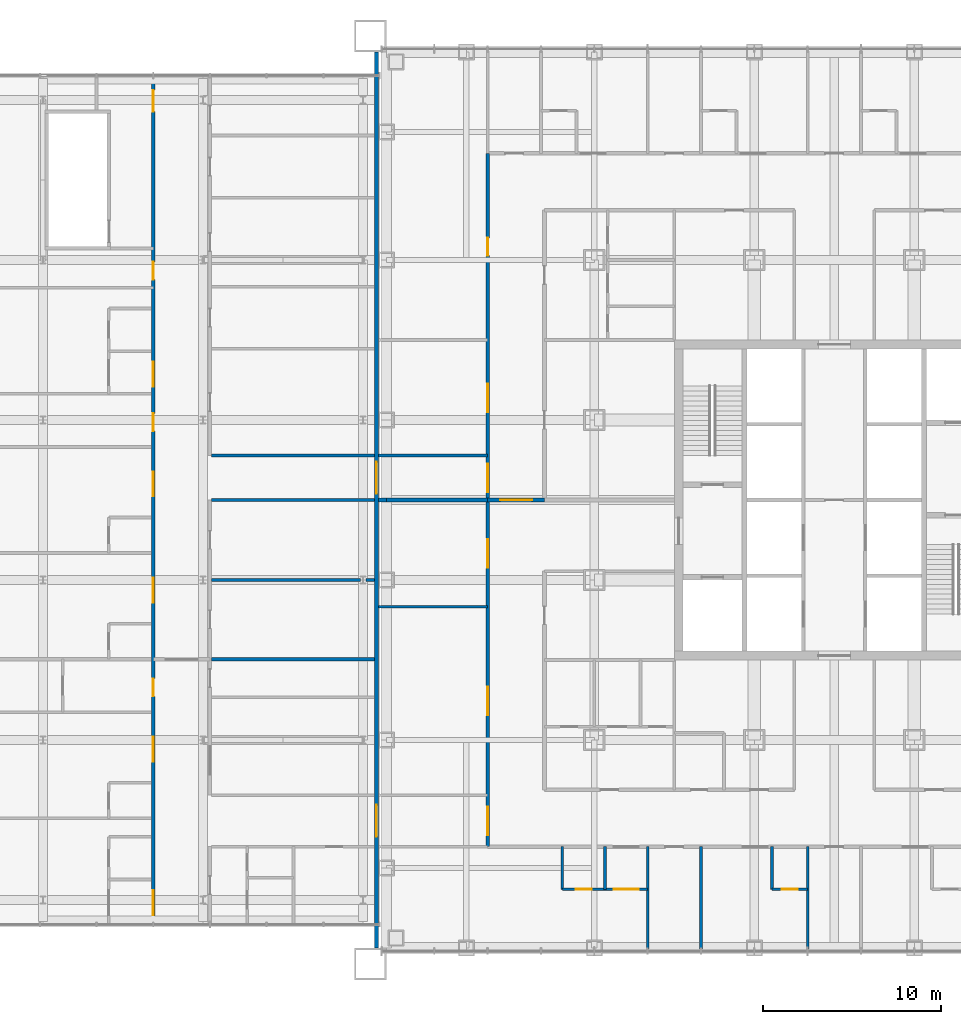
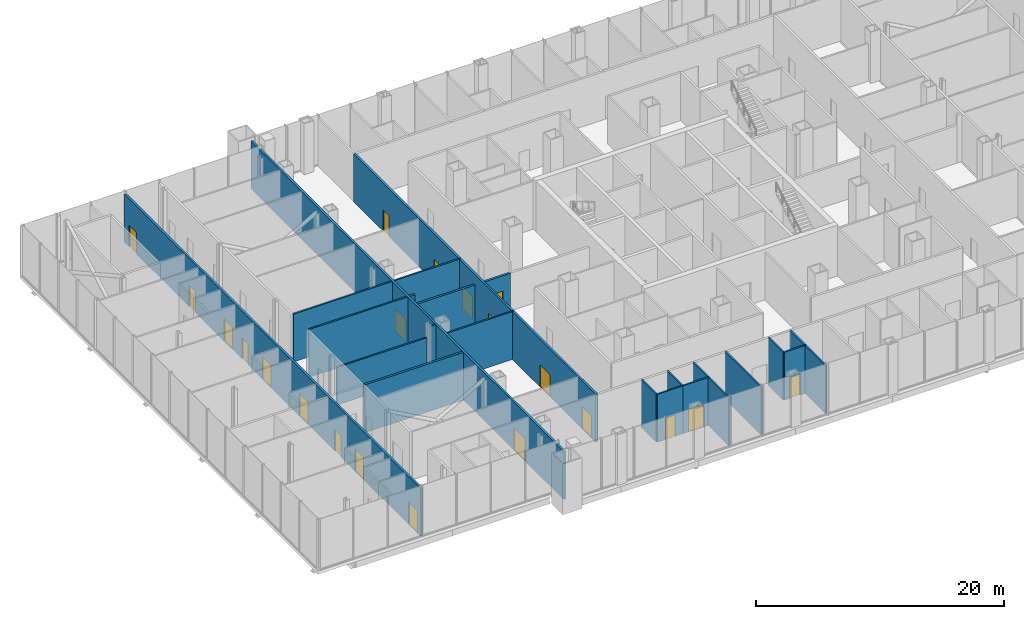
# One storey, part 16 of 28: 22 walls, 21 doors, 21 openings.
"""IFC4 building model written with IfcOpenShell, lengths in metres."""

import ifcopenshell
import ifcopenshell.guid

model = None  # the IFC model being written
_history = None  # IfcOwnerHistory: only IFC2X3 demands one
_inside = {}  # id of a spatial element -> (the spatial element, [elements in it])
_under = {}  # id of a project, library or spatial element -> (it, [spatial elements below it])
_declared = {}  # id of a project -> (the project, [libraries it declares])
_typed = {}  # id of a type object -> (the type object, [elements of that type])
_made_of = {}  # id of a material, layer set ... -> (it, [elements and type objects made of it])


def new_model(schema):
    """Start an empty IFC model of exactly this schema.

    Asked for "IFC4X3", IfcOpenShell would pick the latest addendum, in which some entities
    have other attributes; the version numbers below select the first issue.
    IFC2X3 requires an IfcOwnerHistory on every rooted entity: one is made here for all.
    """
    global model, _history
    if schema == "IFC4X3":
        model = ifcopenshell.file(schema_version=(4, 3, 0, 0))
    else:
        model = ifcopenshell.file(schema=schema)
    _inside.clear()
    _under.clear()
    _declared.clear()
    _typed.clear()
    _made_of.clear()
    _history = None
    if model.schema == "IFC2X3":
        org = make("IfcOrganization", Name="unknown")
        user = make(
            "IfcPersonAndOrganization",
            ThePerson=make("IfcPerson", FamilyName="unknown"),
            TheOrganization=org,
        )
        app = make(
            "IfcApplication",
            ApplicationDeveloper=org,
            Version="unknown",
            ApplicationFullName="unknown",
            ApplicationIdentifier="unknown",
        )
        _history = make(
            "IfcOwnerHistory",
            OwningUser=user,
            OwningApplication=app,
            ChangeAction="ADDED",
            CreationDate=0,
        )
    return model


def make(cls, **values):
    """One entity of the class cls with the attributes given. An attribute that is None is left unset."""
    return model.create_entity(
        cls, **{name: value for name, value in values.items() if value is not None}
    )


def rooted(cls, **values):
    """An entity with a GlobalId (a new one), such as an element, a storey or a relation."""
    return make(cls, GlobalId=ifcopenshell.guid.new(), OwnerHistory=_history, **values)


def si_unit(unit_type, name, prefix=None):
    """IfcSIUnit, for example si_unit("LENGTHUNIT", "METRE", prefix="MILLI")."""
    return make("IfcSIUnit", UnitType=unit_type, Prefix=prefix, Name=name)


def assignment(units):
    """IfcUnitAssignment: the units of a project."""
    return None if units is None else make("IfcUnitAssignment", Units=units)


def point(xyz):
    """IfcCartesianPoint."""
    return None if xyz is None else make("IfcCartesianPoint", Coordinates=xyz)


def direction(xyz):
    """IfcDirection."""
    return None if xyz is None else make("IfcDirection", DirectionRatios=xyz)


def frame(location, z_axis=None, x_axis=None):
    """IfcAxis2Placement3D, a coordinate frame: its origin and axes. An axis left out is left unset."""
    return make(
        "IfcAxis2Placement3D",
        Location=point(location),
        Axis=direction(z_axis),
        RefDirection=direction(x_axis),
    )


def frame_2d(location, x_axis=None):
    """IfcAxis2Placement2D, a coordinate frame in the plane: its origin and x axis."""
    return make(
        "IfcAxis2Placement2D", Location=point(location), RefDirection=direction(x_axis)
    )


def origin():
    """The frame at (0, 0, 0) with its axes left unset."""
    return frame((0.0, 0.0, 0.0))


def place(relative_to, where):
    """IfcLocalPlacement: puts the frame where relative to a parent placement (None: the world)."""
    return make(
        "IfcLocalPlacement", PlacementRelTo=relative_to, RelativePlacement=where
    )


def context(
    kind, dimensions, precision=None, world=None, true_north=None, identifier=None
):
    """IfcGeometricRepresentationContext, for example the 3D "Model" context."""
    return make(
        "IfcGeometricRepresentationContext",
        ContextIdentifier=identifier,
        ContextType=kind,
        CoordinateSpaceDimension=dimensions,
        Precision=precision,
        WorldCoordinateSystem=world,
        TrueNorth=true_north,
    )


def subcontext(parent, identifier, kind, view, scale=None):
    """IfcGeometricRepresentationSubContext, for example "Body" below "Model"."""
    return make(
        "IfcGeometricRepresentationSubContext",
        ContextIdentifier=identifier,
        ContextType=kind,
        ParentContext=parent,
        TargetScale=scale,
        TargetView=view,
    )


def project(units=None, contexts=None):
    """IfcProject with its units and contexts."""
    return rooted(
        "IfcProject",
        Name="project",
        RepresentationContexts=contexts,
        UnitsInContext=assignment(units),
    )


def spatial(cls, under=None, at=None, **own):
    """A site, building, storey or space (cls), placed at a placement, below another one or the project."""
    s = rooted(cls, ObjectPlacement=at, **own)
    if under is not None:
        _under.setdefault(under.id(), (under, []))[1].append(s)
    return s


def profile(cls, at=None, kind="AREA", **sizes):
    """A parametric profile (cls). Its sizes go by their IFC names, for example OverallWidth=200.0."""
    return make(cls, ProfileType=kind, Position=at, **sizes)


def rectangle(**sizes):
    """IfcRectangleProfileDef."""
    return profile("IfcRectangleProfileDef", **sizes)


def extrude(swept, where, along, depth):
    """IfcExtrudedAreaSolid: the profile swept, set in the frame where, extruded along a direction by depth."""
    return make(
        "IfcExtrudedAreaSolid",
        SweptArea=swept,
        Position=where,
        ExtrudedDirection=direction(along),
        Depth=depth,
    )


def shape(context_of_items, identifier, shape_type, items):
    """IfcShapeRepresentation: the items that make up one representation, for example the "Body"."""
    return make(
        "IfcShapeRepresentation",
        ContextOfItems=context_of_items,
        RepresentationIdentifier=identifier,
        RepresentationType=shape_type,
        Items=items,
    )


def material(Name=None, Category=None):
    """IfcMaterial."""
    return make("IfcMaterial", Name=Name, Category=Category)


def layer(
    of_material, thickness, ventilated=None, Name=None, Category=None, Priority=None
):
    """IfcMaterialLayer: one layer of a wall or slab, of a material (None: an air gap)."""
    return make(
        "IfcMaterialLayer",
        Material=of_material,
        LayerThickness=thickness,
        IsVentilated=ventilated,
        Name=Name,
        Category=Category,
        Priority=Priority,
    )


def layer_set(layers, Name=None):
    """IfcMaterialLayerSet."""
    return make("IfcMaterialLayerSet", MaterialLayers=layers, LayerSetName=Name)


def made_of(thing, what):
    """Note that an element or type object is made of a material, layer set ...; save() writes the relation."""
    if what is not None:
        _made_of.setdefault(what.id(), (what, []))[1].append(thing)
    return thing


def type_object(cls, material=None, **own):
    """A type object (cls), such as IfcWallType, which elements share."""
    return made_of(rooted(cls, **own), material)


def element(
    cls,
    number,
    at=None,
    inside=None,
    cuts=None,
    type_object=None,
    material=None,
    context=None,
    identifier="Body",
    shape_type=None,
    held_by="IfcProductDefinitionShape",
    body=None,
    shapes=None,
    **own,
):
    """One element of the class cls, such as IfcWall. Its Tag is "e" and its number.

    at: its placement. inside: the storey or other place that contains it. cuts: it is an
    opening in that element (IfcRelVoidsElement). A single representation is given by context,
    identifier, shape_type and body (its items); several are given by shapes. held_by: the class
    of the entity that holds the representations. save() writes the other relations.
    """
    e = rooted(cls, Tag="e%d" % number, ObjectPlacement=at, **own)
    if body is not None:
        shapes = [shape(context, identifier, shape_type, body)]
    if shapes is not None:
        e.Representation = make(held_by, Representations=shapes)
    if inside is not None:
        _inside.setdefault(inside.id(), (inside, []))[1].append(e)
    if cuts is not None:
        rooted(
            "IfcRelVoidsElement", RelatingBuildingElement=cuts, RelatedOpeningElement=e
        )
    if type_object is not None:
        _typed.setdefault(type_object.id(), (type_object, []))[1].append(e)
    return made_of(e, material)


def fill(opening, filler):
    """IfcRelFillsElement: the door or window that sits in an opening."""
    return rooted(
        "IfcRelFillsElement",
        RelatingOpeningElement=opening,
        RelatedBuildingElement=filler,
    )


def aggregate(whole, parts):
    """IfcRelAggregates: a whole, such as a stair, and the parts it consists of."""
    return rooted("IfcRelAggregates", RelatingObject=whole, RelatedObjects=parts)


def save(model, path):
    """Write the relations noted so far, then the file.

    IfcRelAggregates (storeys below a building ...), IfcRelContainedInSpatialStructure (elements
    in a storey), IfcRelDefinesByType, IfcRelAssociatesMaterial and IfcRelDeclares: one each for
    every whole, place, type object, material and project.
    """
    for whole, parts in _under.values():
        aggregate(whole, parts)
    for where, things in _inside.values():
        rooted(
            "IfcRelContainedInSpatialStructure",
            RelatedElements=things,
            RelatingStructure=where,
        )
    for kind, things in _typed.values():
        rooted("IfcRelDefinesByType", RelatedObjects=things, RelatingType=kind)
    for what, things in _made_of.values():
        rooted("IfcRelAssociatesMaterial", RelatedObjects=things, RelatingMaterial=what)
    for by, libraries in _declared.values():
        rooted("IfcRelDeclares", RelatingContext=by, RelatedDefinitions=libraries)
    model.write(path)


model = new_model("IFC4")

# Units and contexts
model_context = context("Model", 3, precision=1e-05, world=origin(), true_north=direction((0.0, 1.0)))
body_context = subcontext(model_context, "Body", "Model", "MODEL_VIEW")
ifc_project = project(units=[si_unit("LENGTHUNIT", "METRE"), si_unit("AREAUNIT", "SQUARE_METRE"), si_unit("VOLUMEUNIT", "CUBIC_METRE"), si_unit("PLANEANGLEUNIT", "RADIAN"), si_unit("MASSUNIT", "GRAM", prefix="KILO")], contexts=[model_context])

# Site, building, storey
site_placement = place(None, origin())
site = spatial("IfcSite", under=ifc_project, at=site_placement, CompositionType="ELEMENT")
building_placement = place(site_placement, origin())
building = spatial("IfcBuilding", under=site, at=building_placement, Name="Malebo Sky Hospital", CompositionType="ELEMENT")
storey_placement = place(building_placement, frame((0.0, 0.0, 21.0)))
storey = spatial("IfcBuildingStorey", under=building, at=storey_placement, Name="L04", CompositionType="ELEMENT", Elevation=21.0)

# Wall, openings, doors
ifc_material_1 = material(Name="Gypsum board on steel studs", Category="steel")
ifc_layer_1 = layer(ifc_material_1, 0.199951171875)
ifc_layer_set_1 = layer_set([ifc_layer_1], Name="CORRIDOR WALL 200")
wall_type_1 = type_object("IfcWallType", Name="CORRIDOR WALL 200", PredefinedType="PARTITIONING", material=ifc_layer_set_1)
wall_1_placement = place(storey_placement, frame((40.5, 42.5, 0.0), z_axis=(0.0, 0.0, 1.0), x_axis=(0.0, 1.0, 0.0)))
wall_1 = element("IfcWall", 1, at=wall_1_placement, inside=storey, type_object=wall_type_1, Name="Corridor Wall 200 WCO", PredefinedType="PARTITIONING", context=body_context, shape_type="SweptSolid", body=[
    extrude(rectangle(XDim=39.0, YDim=0.199951171875, at=frame_2d((19.5, 0.0))), origin(), (0.0, 0.0, 1.0), 4.699951171875),
])
opening_1_placement = place(wall_1_placement, frame((0.64990234375, 0.0, 0.0)))
opening_1 = element("IfcOpeningElement", 2, at=opening_1_placement, cuts=wall_1, Name="Opening D14", PredefinedType="OPENING", context=body_context, shape_type="SweptSolid", body=[
    extrude(rectangle(XDim=1.60009765625, YDim=2.199951171875, at=frame_2d((0.800048828125, 1.10009765625))), frame((0.0, 0.10986328125, 0.0), z_axis=(0.0, -1.0, 0.0), x_axis=(1.0, 0.0, 0.0)), (0.0, 0.0, 1.0), 0.219970703125),
])
opening_2_placement = place(wall_1_placement, frame((7.39990234375, 0.0, 0.0)))
opening_2 = element("IfcOpeningElement", 3, at=opening_2_placement, cuts=wall_1, Name="Opening D14", PredefinedType="OPENING", context=body_context, shape_type="SweptSolid", body=[
    extrude(rectangle(XDim=1.60009765625, YDim=2.199951171875, at=frame_2d((0.800048828125, 1.10009765625))), frame((0.0, 0.10986328125, 0.0), z_axis=(0.0, -1.0, 0.0), x_axis=(1.0, 0.0, 0.0)), (0.0, 0.0, 1.0), 0.219970703125),
])
opening_3_placement = place(wall_1_placement, frame((15.699951171875, 0.0, 0.0)))
opening_3 = element("IfcOpeningElement", 4, at=opening_3_placement, cuts=wall_1, Name="Opening D14", PredefinedType="OPENING", context=body_context, shape_type="SweptSolid", body=[
    extrude(rectangle(XDim=1.60009765625, YDim=2.199951171875, at=frame_2d((0.800048828125, 1.10009765625))), frame((0.0, 0.10986328125, 0.0), z_axis=(0.0, -1.0, 0.0), x_axis=(1.0, 0.0, 0.0)), (0.0, 0.0, 1.0), 0.219970703125),
])
opening_4_placement = place(wall_1_placement, frame((19.949951171875, 0.0, 0.0)))
opening_4 = element("IfcOpeningElement", 5, at=opening_4_placement, cuts=wall_1, Name="Opening D14", PredefinedType="OPENING", context=body_context, shape_type="SweptSolid", body=[
    extrude(rectangle(XDim=1.60009765625, YDim=2.199951171875, at=frame_2d((0.800048828125, 1.10009765625))), frame((0.0, 0.10986328125, 0.0), z_axis=(0.0, -1.0, 0.0), x_axis=(1.0, 0.0, 0.0)), (0.0, 0.0, 1.0), 0.219970703125),
])
opening_5_placement = place(wall_1_placement, frame((24.449951171875, 0.0, 0.0)))
opening_5 = element("IfcOpeningElement", 6, at=opening_5_placement, cuts=wall_1, Name="Opening D14", PredefinedType="OPENING", context=body_context, shape_type="SweptSolid", body=[
    extrude(rectangle(XDim=1.60009765625, YDim=2.199951171875, at=frame_2d((0.800048828125, 1.10009765625))), frame((0.0, 0.10986328125, 0.0), z_axis=(0.0, -1.0, 0.0), x_axis=(1.0, 0.0, 0.0)), (0.0, 0.0, 1.0), 0.219970703125),
])
opening_6_placement = place(wall_1_placement, frame((33.25, 0.0, 0.0)))
opening_6 = element("IfcOpeningElement", 7, at=opening_6_placement, cuts=wall_1, Name="Opening D03", PredefinedType="OPENING", context=body_context, shape_type="SweptSolid", body=[
    extrude(rectangle(XDim=1.0, YDim=2.10009765625, at=frame_2d((0.5, 1.050048828125))), frame((0.0, 0.10986328125, 0.0), z_axis=(0.0, -1.0, 0.0), x_axis=(1.0, 0.0, 0.0)), (0.0, 0.0, 1.0), 0.219970703125),
])
ifc_material_2 = material(Name="Hardwood-faced door leaf in steel frame", Category="steel")
door_type_1 = type_object("IfcDoorType", Name="DEPARTMENT DOOR PAIR 1600", OperationType="DOUBLE_DOOR_DOUBLE_SWING", PredefinedType="DOOR", material=ifc_material_2)
door_1_placement = place(opening_1_placement, origin())
door_1 = element("IfcDoor", 8, at=door_1_placement, inside=storey, type_object=door_type_1, Name="Link corridor door pair", OperationType="DOUBLE_DOOR_DOUBLE_SWING", OverallHeight=2.199951171875, OverallWidth=1.60009765625, PredefinedType="DOOR", context=body_context, shape_type="SweptSolid", body=[
    extrude(rectangle(XDim=1.60009765625, YDim=2.199951171875, at=frame_2d((0.800048828125, 1.10009765625))), frame((0.0, 0.02490234375, 0.0), z_axis=(0.0, -1.0, 0.0), x_axis=(1.0, 0.0, 0.0)), (0.0, 0.0, 1.0), 0.050048828125),
])
fill(opening_1, door_1)
door_2_placement = place(opening_2_placement, origin())
door_2 = element("IfcDoor", 9, at=door_2_placement, inside=storey, type_object=door_type_1, Name="ICU equipment store door", OperationType="DOUBLE_DOOR_DOUBLE_SWING", OverallHeight=2.199951171875, OverallWidth=1.60009765625, PredefinedType="DOOR", context=body_context, shape_type="SweptSolid", body=[
    extrude(rectangle(XDim=1.60009765625, YDim=2.199951171875, at=frame_2d((0.800048828125, 1.10009765625))), frame((0.0, 0.02490234375, 0.0), z_axis=(0.0, -1.0, 0.0), x_axis=(1.0, 0.0, 0.0)), (0.0, 0.0, 1.0), 0.050048828125),
])
fill(opening_2, door_2)
door_3_placement = place(opening_3_placement, origin())
door_3 = element("IfcDoor", 10, at=door_3_placement, inside=storey, type_object=door_type_1, Name="ICU relatives waiting area door", OperationType="DOUBLE_DOOR_DOUBLE_SWING", OverallHeight=2.199951171875, OverallWidth=1.60009765625, PredefinedType="DOOR", context=body_context, shape_type="SweptSolid", body=[
    extrude(rectangle(XDim=1.60009765625, YDim=2.199951171875, at=frame_2d((0.800048828125, 1.10009765625))), frame((0.0, 0.02490234375, 0.0), z_axis=(0.0, -1.0, 0.0), x_axis=(1.0, 0.0, 0.0)), (0.0, 0.0, 1.0), 0.050048828125),
])
fill(opening_3, door_3)
door_4_placement = place(opening_4_placement, origin())
door_4 = element("IfcDoor", 11, at=door_4_placement, inside=storey, type_object=door_type_1, Name="Link corridor door pair", OperationType="DOUBLE_DOOR_DOUBLE_SWING", OverallHeight=2.199951171875, OverallWidth=1.60009765625, PredefinedType="DOOR", context=body_context, shape_type="SweptSolid", body=[
    extrude(rectangle(XDim=1.60009765625, YDim=2.199951171875, at=frame_2d((0.800048828125, 1.10009765625))), frame((0.0, 0.02490234375, 0.0), z_axis=(0.0, -1.0, 0.0), x_axis=(1.0, 0.0, 0.0)), (0.0, 0.0, 1.0), 0.050048828125),
])
fill(opening_4, door_4)
door_5_placement = place(opening_5_placement, origin())
door_5 = element("IfcDoor", 12, at=door_5_placement, inside=storey, type_object=door_type_1, Name="ICU reception door", OperationType="DOUBLE_DOOR_DOUBLE_SWING", OverallHeight=2.199951171875, OverallWidth=1.60009765625, PredefinedType="DOOR", context=body_context, shape_type="SweptSolid", body=[
    extrude(rectangle(XDim=1.60009765625, YDim=2.199951171875, at=frame_2d((0.800048828125, 1.10009765625))), frame((0.0, 0.02490234375, 0.0), z_axis=(0.0, -1.0, 0.0), x_axis=(1.0, 0.0, 0.0)), (0.0, 0.0, 1.0), 0.050048828125),
])
fill(opening_5, door_5)
door_type_2 = type_object("IfcDoorType", Name="ROOM DOOR 1000", OperationType="SINGLE_SWING_LEFT", PredefinedType="DOOR", material=ifc_material_2)
door_6_placement = place(opening_6_placement, origin())
door_6 = element("IfcDoor", 13, at=door_6_placement, inside=storey, type_object=door_type_2, Name="ICU staff rest room door", OperationType="SINGLE_SWING_RIGHT", OverallHeight=2.10009765625, OverallWidth=1.0, PredefinedType="DOOR", context=body_context, shape_type="SweptSolid", body=[
    extrude(rectangle(XDim=1.0, YDim=2.10009765625, at=frame_2d((0.5, 1.050048828125))), frame((0.0, 0.02490234375, 0.0), z_axis=(0.0, -1.0, 0.0), x_axis=(1.0, 0.0, 0.0)), (0.0, 0.0, 1.0), 0.050048828125),
])
fill(opening_6, door_6)

wall_2_placement = place(storey_placement, frame((21.693115234375, 38.14990234375, 0.0), z_axis=(0.0, 0.0, 1.0), x_axis=(0.0, 1.0, 0.0)))
wall_2 = element("IfcWall", 14, at=wall_2_placement, inside=storey, type_object=wall_type_1, Name="Corridor Wall 200 WWC1", PredefinedType="PARTITIONING", context=body_context, shape_type="SweptSolid", body=[
    extrude(rectangle(XDim=47.7001953125, YDim=0.199951171875, at=frame_2d((23.85009765625, 0.0))), origin(), (0.0, 0.0, 1.0), 4.699951171875),
])
opening_7_placement = place(wall_2_placement, frame((45.699951171875, 0.0, 0.0)))
opening_7 = element("IfcOpeningElement", 15, at=opening_7_placement, cuts=wall_2, Name="Opening D08", PredefinedType="OPENING", context=body_context, shape_type="SweptSolid", body=[
    extrude(rectangle(XDim=1.199951171875, YDim=2.10009765625, at=frame_2d((0.60009765625, 1.050048828125))), frame((0.0, 0.10986328125, 0.0), z_axis=(0.0, -1.0, 0.0), x_axis=(1.0, 0.0, 0.0)), (0.0, 0.0, 1.0), 0.219970703125),
])
opening_8_placement = place(wall_2_placement, frame((36.24365234375, 0.0, 0.0)))
opening_8 = element("IfcOpeningElement", 16, at=opening_8_placement, cuts=wall_2, Name="Opening D03", PredefinedType="OPENING", context=body_context, shape_type="SweptSolid", body=[
    extrude(rectangle(XDim=1.0, YDim=2.10009765625, at=frame_2d((0.5, 1.050048828125))), frame((0.0, 0.10986328125, 0.0), z_axis=(0.0, -1.0, 0.0), x_axis=(1.0, 0.0, 0.0)), (0.0, 0.0, 1.0), 0.219970703125),
])
opening_9_placement = place(wall_2_placement, frame((0.5, 0.0, 0.0)))
opening_9 = element("IfcOpeningElement", 17, at=opening_9_placement, cuts=wall_2, Name="Opening D25", PredefinedType="OPENING", context=body_context, shape_type="SweptSolid", body=[
    extrude(rectangle(XDim=1.39990234375, YDim=2.199951171875, at=frame_2d((0.699951171875, 1.10009765625))), frame((0.0, 0.10986328125, 0.0), z_axis=(0.0, -1.0, 0.0), x_axis=(1.0, 0.0, 0.0)), (0.0, 0.0, 1.0), 0.219970703125),
])
opening_10_placement = place(wall_2_placement, frame((30.21875, 0.0, 0.0)))
opening_10 = element("IfcOpeningElement", 18, at=opening_10_placement, cuts=wall_2, Name="Opening D25", PredefinedType="OPENING", context=body_context, shape_type="SweptSolid", body=[
    extrude(rectangle(XDim=1.39990234375, YDim=2.199951171875, at=frame_2d((0.699951171875, 1.10009765625))), frame((0.0, 0.10986328125, 0.0), z_axis=(0.0, -1.0, 0.0), x_axis=(1.0, 0.0, 0.0)), (0.0, 0.0, 1.0), 0.219970703125),
])
opening_11_placement = place(wall_2_placement, frame((9.128173828125, 0.0, 0.0)))
opening_11 = element("IfcOpeningElement", 19, at=opening_11_placement, cuts=wall_2, Name="Opening D25", PredefinedType="OPENING", context=body_context, shape_type="SweptSolid", body=[
    extrude(rectangle(XDim=1.39990234375, YDim=2.199951171875, at=frame_2d((0.699951171875, 1.10009765625))), frame((0.0, 0.10986328125, 0.0), z_axis=(0.0, -1.0, 0.0), x_axis=(1.0, 0.0, 0.0)), (0.0, 0.0, 1.0), 0.219970703125),
])
opening_12_placement = place(wall_2_placement, frame((12.8046875, 0.0, 0.0)))
opening_12 = element("IfcOpeningElement", 20, at=opening_12_placement, cuts=wall_2, Name="Opening D03", PredefinedType="OPENING", context=body_context, shape_type="SweptSolid", body=[
    extrude(rectangle(XDim=1.0, YDim=2.10009765625, at=frame_2d((0.5, 1.050048828125))), frame((0.0, 0.10986328125, 0.0), z_axis=(0.0, -1.0, 0.0), x_axis=(1.0, 0.0, 0.0)), (0.0, 0.0, 1.0), 0.219970703125),
])
opening_13_placement = place(wall_2_placement, frame((18.081298828125, 0.0, 0.0)))
opening_13 = element("IfcOpeningElement", 21, at=opening_13_placement, cuts=wall_2, Name="Opening D25", PredefinedType="OPENING", context=body_context, shape_type="SweptSolid", body=[
    extrude(rectangle(XDim=1.39990234375, YDim=2.199951171875, at=frame_2d((0.699951171875, 1.10009765625))), frame((0.0, 0.10986328125, 0.0), z_axis=(0.0, -1.0, 0.0), x_axis=(1.0, 0.0, 0.0)), (0.0, 0.0, 1.0), 0.219970703125),
])
opening_14_placement = place(wall_2_placement, frame((24.050048828125, 0.0, 0.0)))
opening_14 = element("IfcOpeningElement", 22, at=opening_14_placement, cuts=wall_2, Name="Opening D25", PredefinedType="OPENING", context=body_context, shape_type="SweptSolid", body=[
    extrude(rectangle(XDim=1.39990234375, YDim=2.199951171875, at=frame_2d((0.699951171875, 1.10009765625))), frame((0.0, 0.10986328125, 0.0), z_axis=(0.0, -1.0, 0.0), x_axis=(1.0, 0.0, 0.0)), (0.0, 0.0, 1.0), 0.219970703125),
])
opening_15_placement = place(wall_2_placement, frame((27.7265625, 0.0, 0.0)))
opening_15 = element("IfcOpeningElement", 23, at=opening_15_placement, cuts=wall_2, Name="Opening D03", PredefinedType="OPENING", context=body_context, shape_type="SweptSolid", body=[
    extrude(rectangle(XDim=1.0, YDim=2.10009765625, at=frame_2d((0.5, 1.050048828125))), frame((0.0, 0.10986328125, 0.0), z_axis=(0.0, -1.0, 0.0), x_axis=(1.0, 0.0, 0.0)), (0.0, 0.0, 1.0), 0.219970703125),
])
door_type_3 = type_object("IfcDoorType", Name="BED DOOR PAIR 1400", OperationType="DOUBLE_DOOR_SINGLE_SWING", PredefinedType="DOOR", material=ifc_material_2)
door_7_placement = place(opening_9_placement, origin())
door_7 = element("IfcDoor", 24, at=door_7_placement, inside=storey, type_object=door_type_3, Name="Anteroom door", OperationType="DOUBLE_DOOR_SINGLE_SWING", OverallHeight=2.199951171875, OverallWidth=1.39990234375, PredefinedType="DOOR", context=body_context, shape_type="SweptSolid", body=[
    extrude(rectangle(XDim=1.39990234375, YDim=2.199951171875, at=frame_2d((0.699951171875, 1.10009765625))), frame((0.0, 0.02490234375, 0.0), z_axis=(0.0, -1.0, 0.0), x_axis=(1.0, 0.0, 0.0)), (0.0, 0.0, 1.0), 0.050048828125),
])
fill(opening_9, door_7)
door_8_placement = place(opening_10_placement, origin())
door_8 = element("IfcDoor", 25, at=door_8_placement, inside=storey, type_object=door_type_3, Name="Anteroom door", OperationType="DOUBLE_DOOR_SINGLE_SWING", OverallHeight=2.199951171875, OverallWidth=1.39990234375, PredefinedType="DOOR", context=body_context, shape_type="SweptSolid", body=[
    extrude(rectangle(XDim=1.39990234375, YDim=2.199951171875, at=frame_2d((0.699951171875, 1.10009765625))), frame((0.0, 0.02490234375, 0.0), z_axis=(0.0, -1.0, 0.0), x_axis=(1.0, 0.0, 0.0)), (0.0, 0.0, 1.0), 0.050048828125),
])
fill(opening_10, door_8)
door_9_placement = place(opening_11_placement, origin())
door_9 = element("IfcDoor", 26, at=door_9_placement, inside=storey, type_object=door_type_3, Name="ICU bed room door", OperationType="DOUBLE_DOOR_SINGLE_SWING", OverallHeight=2.199951171875, OverallWidth=1.39990234375, PredefinedType="DOOR", context=body_context, shape_type="SweptSolid", body=[
    extrude(rectangle(XDim=1.39990234375, YDim=2.199951171875, at=frame_2d((0.699951171875, 1.10009765625))), frame((0.0, 0.02490234375, 0.0), z_axis=(0.0, -1.0, 0.0), x_axis=(1.0, 0.0, 0.0)), (0.0, 0.0, 1.0), 0.050048828125),
])
fill(opening_11, door_9)
door_10_placement = place(opening_13_placement, origin())
door_10 = element("IfcDoor", 27, at=door_10_placement, inside=storey, type_object=door_type_3, Name="ICU bed room door", OperationType="DOUBLE_DOOR_SINGLE_SWING", OverallHeight=2.199951171875, OverallWidth=1.39990234375, PredefinedType="DOOR", context=body_context, shape_type="SweptSolid", body=[
    extrude(rectangle(XDim=1.39990234375, YDim=2.199951171875, at=frame_2d((0.699951171875, 1.10009765625))), frame((0.0, 0.02490234375, 0.0), z_axis=(0.0, -1.0, 0.0), x_axis=(1.0, 0.0, 0.0)), (0.0, 0.0, 1.0), 0.050048828125),
])
fill(opening_13, door_10)
door_11_placement = place(opening_14_placement, origin())
door_11 = element("IfcDoor", 28, at=door_11_placement, inside=storey, type_object=door_type_3, Name="ICU bed room door", OperationType="DOUBLE_DOOR_SINGLE_SWING", OverallHeight=2.199951171875, OverallWidth=1.39990234375, PredefinedType="DOOR", context=body_context, shape_type="SweptSolid", body=[
    extrude(rectangle(XDim=1.39990234375, YDim=2.199951171875, at=frame_2d((0.699951171875, 1.10009765625))), frame((0.0, 0.02490234375, 0.0), z_axis=(0.0, -1.0, 0.0), x_axis=(1.0, 0.0, 0.0)), (0.0, 0.0, 1.0), 0.050048828125),
])
fill(opening_14, door_11)
door_12_placement = place(opening_8_placement, origin())
door_12 = element("IfcDoor", 29, at=door_12_placement, inside=storey, type_object=door_type_2, Name="ICU equipment store door", OperationType="SINGLE_SWING_LEFT", OverallHeight=2.10009765625, OverallWidth=1.0, PredefinedType="DOOR", context=body_context, shape_type="SweptSolid", body=[
    extrude(rectangle(XDim=1.0, YDim=2.10009765625, at=frame_2d((0.5, 1.050048828125))), frame((0.0, 0.02490234375, 0.0), z_axis=(0.0, -1.0, 0.0), x_axis=(1.0, 0.0, 0.0)), (0.0, 0.0, 1.0), 0.050048828125),
])
fill(opening_8, door_12)
door_13_placement = place(opening_12_placement, origin())
door_13 = element("IfcDoor", 30, at=door_13_placement, inside=storey, type_object=door_type_2, Name="ICU nurse base door", OperationType="SINGLE_SWING_LEFT", OverallHeight=2.10009765625, OverallWidth=1.0, PredefinedType="DOOR", context=body_context, shape_type="SweptSolid", body=[
    extrude(rectangle(XDim=1.0, YDim=2.10009765625, at=frame_2d((0.5, 1.050048828125))), frame((0.0, 0.02490234375, 0.0), z_axis=(0.0, -1.0, 0.0), x_axis=(1.0, 0.0, 0.0)), (0.0, 0.0, 1.0), 0.050048828125),
])
fill(opening_12, door_13)
door_14_placement = place(opening_15_placement, origin())
door_14 = element("IfcDoor", 31, at=door_14_placement, inside=storey, type_object=door_type_2, Name="Medication room door", OperationType="SINGLE_SWING_LEFT", OverallHeight=2.10009765625, OverallWidth=1.0, PredefinedType="DOOR", context=body_context, shape_type="SweptSolid", body=[
    extrude(rectangle(XDim=1.0, YDim=2.10009765625, at=frame_2d((0.5, 1.050048828125))), frame((0.0, 0.02490234375, 0.0), z_axis=(0.0, -1.0, 0.0), x_axis=(1.0, 0.0, 0.0)), (0.0, 0.0, 1.0), 0.050048828125),
])
fill(opening_15, door_14)
door_type_4 = type_object("IfcDoorType", Name="STAIR DOOR 1200", OperationType="SINGLE_SWING_LEFT", PredefinedType="DOOR", material=ifc_material_2)
door_15_placement = place(opening_7_placement, origin())
door_15 = element("IfcDoor", 32, at=door_15_placement, inside=storey, type_object=door_type_4, Name="Stair lobby door", OperationType="SINGLE_SWING_RIGHT", OverallHeight=2.10009765625, OverallWidth=1.199951171875, PredefinedType="DOOR", context=body_context, shape_type="SweptSolid", body=[
    extrude(rectangle(XDim=1.199951171875, YDim=2.10009765625, at=frame_2d((0.60009765625, 1.050048828125))), frame((0.0, 0.02490234375, 0.0), z_axis=(0.0, -1.0, 0.0), x_axis=(1.0, 0.0, 0.0)), (0.0, 0.0, 1.0), 0.050048828125),
])
fill(opening_7, door_15)

ifc_material_3 = material(Name="Concrete blockwork", Category="masonry")
ifc_layer_2 = layer(ifc_material_3, 0.199951171875)
ifc_layer_set_2 = layer_set([ifc_layer_2], Name="MOVEMENT JOINT WALL 200")
wall_type_2 = type_object("IfcWallType", Name="MOVEMENT JOINT WALL 200", PredefinedType="SOLIDWALL", material=ifc_layer_set_2)
wall_3_placement = place(storey_placement, frame((34.25, 36.800048828125, 0.0), z_axis=(0.0, 0.0, 1.0), x_axis=(0.0, 1.0, 0.0)))
wall_3 = element("IfcWall", 33, at=wall_3_placement, inside=storey, type_object=wall_type_2, Name="Movement Joint Wall 200 WJ", PredefinedType="SOLIDWALL", context=body_context, shape_type="SweptSolid", body=[
    extrude(rectangle(XDim=50.39990234375, YDim=0.199951171875, at=frame_2d((25.199951171875, 0.0))), origin(), (0.0, 0.0, 1.0), 4.699951171875),
])
opening_16_placement = place(wall_3_placement, frame((6.25, 0.0, 0.0)))
opening_16 = element("IfcOpeningElement", 34, at=opening_16_placement, cuts=wall_3, Name="Opening D28", PredefinedType="OPENING", context=body_context, shape_type="SweptSolid", body=[
    extrude(rectangle(XDim=1.800048828125, YDim=2.199951171875, at=frame_2d((0.89990234375, 1.10009765625))), frame((0.0, 0.10986328125, 0.0), z_axis=(0.0, -1.0, 0.0), x_axis=(1.0, 0.0, 0.0)), (0.0, 0.0, 1.0), 0.219970703125),
])
opening_17_placement = place(wall_3_placement, frame((25.550048828125, 0.0, 0.0)))
opening_17 = element("IfcOpeningElement", 35, at=opening_17_placement, cuts=wall_3, Name="Opening D28", PredefinedType="OPENING", context=body_context, shape_type="SweptSolid", body=[
    extrude(rectangle(XDim=1.800048828125, YDim=2.199951171875, at=frame_2d((0.89990234375, 1.10009765625))), frame((0.0, 0.10986328125, 0.0), z_axis=(0.0, -1.0, 0.0), x_axis=(1.0, 0.0, 0.0)), (0.0, 0.0, 1.0), 0.219970703125),
])
door_type_5 = type_object("IfcDoorType", Name="FIRE DOOR PAIR 1800", OperationType="DOUBLE_DOOR_SINGLE_SWING", PredefinedType="DOOR", material=ifc_material_2)
door_16_placement = place(opening_16_placement, origin())
door_16 = element("IfcDoor", 36, at=door_16_placement, inside=storey, type_object=door_type_5, Name="Link fire door pair", OperationType="DOUBLE_DOOR_SINGLE_SWING", OverallHeight=2.199951171875, OverallWidth=1.800048828125, PredefinedType="DOOR", context=body_context, shape_type="SweptSolid", body=[
    extrude(rectangle(XDim=1.800048828125, YDim=2.199951171875, at=frame_2d((0.89990234375, 1.10009765625))), frame((0.0, 0.02490234375, 0.0), z_axis=(0.0, -1.0, 0.0), x_axis=(1.0, 0.0, 0.0)), (0.0, 0.0, 1.0), 0.050048828125),
])
fill(opening_16, door_16)
door_17_placement = place(opening_17_placement, origin())
door_17 = element("IfcDoor", 37, at=door_17_placement, inside=storey, type_object=door_type_5, Name="Link fire door pair", OperationType="DOUBLE_DOOR_SINGLE_SWING", OverallHeight=2.199951171875, OverallWidth=1.800048828125, PredefinedType="DOOR", context=body_context, shape_type="SweptSolid", body=[
    extrude(rectangle(XDim=1.800048828125, YDim=2.199951171875, at=frame_2d((0.89990234375, 1.10009765625))), frame((0.0, 0.02490234375, 0.0), z_axis=(0.0, -1.0, 0.0), x_axis=(1.0, 0.0, 0.0)), (0.0, 0.0, 1.0), 0.050048828125),
])
fill(opening_17, door_17)

# Walls
ifc_layer_3 = layer(ifc_material_1, 0.14990234375)
ifc_layer_set_3 = layer_set([ifc_layer_3], Name="PARTITION 150")
wall_type_3 = type_object("IfcWallType", Name="PARTITION 150", PredefinedType="PARTITIONING", material=ifc_layer_set_3)
for number, where, z_axis, x_axis, name in (
    (38, (40.5, 56.0, 0.0), (0.0, 0.0, 1.0), (-1.0, 0.0, 0.0), "Partition 150 WP-6.0"),
    (39, (40.5, 64.5, 0.0), (0.0, 0.0, 1.0), (-1.0, 0.0, 0.0), "Partition 150 WP+2.5"),
):
    element("IfcWall", number, at=place(storey_placement, frame(where, z_axis=z_axis, x_axis=x_axis)), inside=storey, type_object=wall_type_3, Name=name, PredefinedType="PARTITIONING", context=body_context, shape_type="SweptSolid", body=[
        extrude(rectangle(XDim=6.14990234375, YDim=0.14990234375, at=frame_2d((3.074951171875, 0.0))), origin(), (0.0, 0.0, 1.0), 4.699951171875),
    ])
for number, where, z_axis, x_axis, name in (
    (40, (58.5, 42.5, 0.0), (0.0, 0.0, 1.0), (0.0, -1.0, 0.0), "Partition 150 SP+1.5"),
    (41, (52.5, 42.5, 0.0), (0.0, 0.0, 1.0), (0.0, -1.0, 0.0), "Partition 150 SP+7.5"),
    (42, (49.5, 42.5, 0.0), (0.0, 0.0, 1.0), (0.0, -1.0, 0.0), "Partition 150 SP+10.5"),
):
    element("IfcWall", number, at=place(storey_placement, frame(where, z_axis=z_axis, x_axis=x_axis)), inside=storey, type_object=wall_type_3, Name=name, PredefinedType="PARTITIONING", context=body_context, shape_type="SweptSolid", body=[
        extrude(rectangle(XDim=5.75, YDim=0.14990234375, at=frame_2d((2.875, 0.0))), origin(), (0.0, 0.0, 1.0), 4.699951171875),
    ])

# Wall, opening, door
wall_4_placement = place(storey_placement, frame((58.5, 40.10009765625, 0.0), z_axis=(0.0, 0.0, 1.0), x_axis=(-1.0, 0.0, 0.0)))
wall_4 = element("IfcWall", 43, at=wall_4_placement, inside=storey, type_object=wall_type_3, Name="Partition 150 SE5F", PredefinedType="PARTITIONING", context=body_context, shape_type="SweptSolid", body=[
    extrude(rectangle(XDim=2.0, YDim=0.14990234375, at=frame_2d((1.0, 0.0))), origin(), (0.0, 0.0, 1.0), 4.699951171875),
])
opening_18_placement = place(wall_4_placement, frame((0.550048828125, 0.0, 0.0)))
opening_18 = element("IfcOpeningElement", 44, at=opening_18_placement, cuts=wall_4, Name="Opening D02", PredefinedType="OPENING", context=body_context, shape_type="SweptSolid", body=[
    extrude(rectangle(XDim=0.89990234375, YDim=2.10009765625, at=frame_2d((0.449951171875, 1.050048828125))), frame((0.0, 0.0849609375, 0.0), z_axis=(0.0, -1.0, 0.0), x_axis=(1.0, 0.0, 0.0)), (0.0, 0.0, 1.0), 0.169921875),
])
door_type_6 = type_object("IfcDoorType", Name="EN-SUITE DOOR 900", OperationType="SINGLE_SWING_LEFT", PredefinedType="DOOR", material=ifc_material_2)
door_18_placement = place(opening_18_placement, origin())
door_18 = element("IfcDoor", 45, at=door_18_placement, inside=storey, type_object=door_type_6, Name="En-suite door", OperationType="SINGLE_SWING_LEFT", OverallHeight=2.10009765625, OverallWidth=0.89990234375, PredefinedType="DOOR", context=body_context, shape_type="SweptSolid", body=[
    extrude(rectangle(XDim=0.89990234375, YDim=2.10009765625, at=frame_2d((0.449951171875, 1.050048828125))), frame((0.0, 0.02490234375, 0.0), z_axis=(0.0, -1.0, 0.0), x_axis=(1.0, 0.0, 0.0)), (0.0, 0.0, 1.0), 0.050048828125),
])
fill(opening_18, door_18)

# Wall
wall_5_placement = place(storey_placement, frame((56.5, 42.5, 0.0), z_axis=(0.0, 0.0, 1.0), x_axis=(0.0, -1.0, 0.0)))
element("IfcWall", 46, at=wall_5_placement, inside=storey, type_object=wall_type_3, Name="Partition 150 SE5S", PredefinedType="PARTITIONING", context=body_context, shape_type="SweptSolid", body=[
    extrude(rectangle(XDim=2.39990234375, YDim=0.14990234375, at=frame_2d((1.199951171875, 0.0))), origin(), (0.0, 0.0, 1.0), 4.699951171875),
])

# Wall, opening, door
wall_6_placement = place(storey_placement, frame((47.10009765625, 40.10009765625, 0.0), z_axis=(0.0, 0.0, 1.0), x_axis=(-1.0, 0.0, 0.0)))
wall_6 = element("IfcWall", 47, at=wall_6_placement, inside=storey, type_object=wall_type_3, Name="Partition 150 SE7F", PredefinedType="PARTITIONING", context=body_context, shape_type="SweptSolid", body=[
    extrude(rectangle(XDim=2.400146484375, YDim=0.14990234375, at=frame_2d((1.2001953125, 0.0))), origin(), (0.0, 0.0, 1.0), 4.699951171875),
])
opening_19_placement = place(wall_6_placement, frame((0.75, 0.0, 0.0)))
opening_19 = element("IfcOpeningElement", 48, at=opening_19_placement, cuts=wall_6, Name="Opening D02", PredefinedType="OPENING", context=body_context, shape_type="SweptSolid", body=[
    extrude(rectangle(XDim=0.89990234375, YDim=2.10009765625, at=frame_2d((0.449951171875, 1.050048828125))), frame((0.0, 0.0849609375, 0.0), z_axis=(0.0, -1.0, 0.0), x_axis=(1.0, 0.0, 0.0)), (0.0, 0.0, 1.0), 0.169921875),
])
door_19_placement = place(opening_19_placement, origin())
door_19 = element("IfcDoor", 49, at=door_19_placement, inside=storey, type_object=door_type_6, Name="En-suite door", OperationType="SINGLE_SWING_LEFT", OverallHeight=2.10009765625, OverallWidth=0.89990234375, PredefinedType="DOOR", context=body_context, shape_type="SweptSolid", body=[
    extrude(rectangle(XDim=0.89990234375, YDim=2.10009765625, at=frame_2d((0.449951171875, 1.050048828125))), frame((0.0, 0.02490234375, 0.0), z_axis=(0.0, -1.0, 0.0), x_axis=(1.0, 0.0, 0.0)), (0.0, 0.0, 1.0), 0.050048828125),
])
fill(opening_19, door_19)

# Walls
wall_7_placement = place(storey_placement, frame((44.699951171875, 42.5, 0.0), z_axis=(0.0, 0.0, 1.0), x_axis=(0.0, -1.0, 0.0)))
element("IfcWall", 50, at=wall_7_placement, inside=storey, type_object=wall_type_3, Name="Partition 150 SE7S", PredefinedType="PARTITIONING", context=body_context, shape_type="SweptSolid", body=[
    extrude(rectangle(XDim=2.39990234375, YDim=0.14990234375, at=frame_2d((1.199951171875, 0.0))), origin(), (0.0, 0.0, 1.0), 4.699951171875),
])
wall_8_placement = place(storey_placement, frame((24.98193359375, 57.5, 0.0), z_axis=(0.0, 0.0, 1.0), x_axis=(1.0, 0.0, 0.0)))
element("IfcWall", 51, at=wall_8_placement, inside=storey, type_object=wall_type_3, Name="Partition 150 WIH05", PredefinedType="PARTITIONING", context=body_context, shape_type="SweptSolid", body=[
    extrude(rectangle(XDim=8.364501953125, YDim=0.14990234375, at=frame_2d((4.18212890625, 0.0))), origin(), (0.0, 0.0, 1.0), 3.699951171875),
])
wall_9_placement = place(storey_placement, frame((33.653564453125, 57.5, 0.0), z_axis=(0.0, 0.0, 1.0), x_axis=(1.0, 0.0, 0.0)))
element("IfcWall", 52, at=wall_9_placement, inside=storey, type_object=wall_type_3, Name="Partition 150 WIH05", PredefinedType="PARTITIONING", context=body_context, shape_type="SweptSolid", body=[
    extrude(rectangle(XDim=0.496337890625, YDim=0.14990234375, at=frame_2d((0.248046875, 0.0))), origin(), (0.0, 0.0, 1.0), 4.699951171875),
])
for number, where, z_axis, x_axis, name in (
    (53, (24.98193359375, 62.0, 0.0), (0.0, 0.0, 1.0), (1.0, 0.0, 0.0), "Partition 150 WIH06"),
    (54, (24.98193359375, 64.5, 0.0), (0.0, 0.0, 1.0), (1.0, 0.0, 0.0), "Partition 150 WIH07"),
):
    element("IfcWall", number, at=place(storey_placement, frame(where, z_axis=z_axis, x_axis=x_axis)), inside=storey, type_object=wall_type_3, Name=name, PredefinedType="PARTITIONING", context=body_context, shape_type="SweptSolid", body=[
        extrude(rectangle(XDim=9.16796875, YDim=0.14990234375, at=frame_2d((4.583984375, 0.0))), origin(), (0.0, 0.0, 1.0), 4.699951171875),
    ])

# Wall, opening, door
ifc_material_4 = material(Name="Sealed gypsum board on steel studs, taped to the slab", Category="steel")
ifc_layer_4 = layer(ifc_material_4, 0.14990234375)
ifc_layer_set_4 = layer_set([ifc_layer_4], Name="SEALED ISOLATION PARTITION 150")
wall_type_4 = type_object("IfcWallType", Name="SEALED ISOLATION PARTITION 150", PredefinedType="PARTITIONING", material=ifc_layer_set_4)
wall_10_placement = place(storey_placement, frame((49.5, 40.10009765625, 0.0), z_axis=(0.0, 0.0, 1.0), x_axis=(-1.0, 0.0, 0.0)))
wall_10 = element("IfcWall", 55, at=wall_10_placement, inside=storey, type_object=wall_type_4, Name="Sealed Isolation Partition 150 SN7F", PredefinedType="PARTITIONING", context=body_context, shape_type="SweptSolid", body=[
    extrude(rectangle(XDim=2.39990234375, YDim=0.14990234375, at=frame_2d((1.199951171875, 0.0))), origin(), (0.0, 0.0, 1.0), 4.699951171875),
])
opening_20_placement = place(wall_10_placement, frame((0.5, 0.0, 0.0)))
opening_20 = element("IfcOpeningElement", 56, at=opening_20_placement, cuts=wall_10, Name="Opening D29", PredefinedType="OPENING", context=body_context, shape_type="SweptSolid", body=[
    extrude(rectangle(XDim=1.39990234375, YDim=2.199951171875, at=frame_2d((0.699951171875, 1.10009765625))), frame((0.0, 0.0849609375, 0.0), z_axis=(0.0, -1.0, 0.0), x_axis=(1.0, 0.0, 0.0)), (0.0, 0.0, 1.0), 0.169921875),
])
ifc_material_5 = material(Name="Hardwood-faced door leaf with perimeter seals in steel frame", Category="steel")
door_type_7 = type_object("IfcDoorType", Name="SEALED ISOLATION BED DOOR PAIR 1400", OperationType="DOUBLE_DOOR_SINGLE_SWING", PredefinedType="DOOR", material=ifc_material_5)
door_20_placement = place(opening_20_placement, origin())
door_20 = element("IfcDoor", 57, at=door_20_placement, inside=storey, type_object=door_type_7, Name="Isolation room door", OperationType="DOUBLE_DOOR_SINGLE_SWING", OverallHeight=2.199951171875, OverallWidth=1.39990234375, PredefinedType="DOOR", context=body_context, shape_type="SweptSolid", body=[
    extrude(rectangle(XDim=1.39990234375, YDim=2.199951171875, at=frame_2d((0.699951171875, 1.10009765625))), frame((0.0, 0.02490234375, 0.0), z_axis=(0.0, -1.0, 0.0), x_axis=(1.0, 0.0, 0.0)), (0.0, 0.0, 1.0), 0.050048828125),
])
fill(opening_20, door_20)

# Walls
wall_11_placement = place(storey_placement, frame((47.10009765625, 42.5, 0.0), z_axis=(0.0, 0.0, 1.0), x_axis=(0.0, -1.0, 0.0)))
element("IfcWall", 58, at=wall_11_placement, inside=storey, type_object=wall_type_4, Name="Sealed Isolation Partition 150 SN7S", PredefinedType="PARTITIONING", context=body_context, shape_type="SweptSolid", body=[
    extrude(rectangle(XDim=2.39990234375, YDim=0.14990234375, at=frame_2d((1.199951171875, 0.0))), origin(), (0.0, 0.0, 1.0), 4.699951171875),
])
ifc_layer_5 = layer(ifc_material_3, 0.199951171875)
ifc_layer_set_5 = layer_set([ifc_layer_5], Name="SMOKE BARRIER WALL 200")
wall_type_5 = type_object("IfcWallType", Name="SMOKE BARRIER WALL 200", PredefinedType="SOLIDWALL", material=ifc_layer_set_5)
wall_12_placement = place(storey_placement, frame((40.5, 62.0, 0.0), z_axis=(0.0, 0.0, 1.0), x_axis=(-1.0, 0.0, 0.0)))
element("IfcWall", 59, at=wall_12_placement, inside=storey, type_object=wall_type_5, Name="Smoke Barrier Wall 200 WP+0.0", PredefinedType="SOLIDWALL", context=body_context, shape_type="SweptSolid", body=[
    extrude(rectangle(XDim=5.699951171875, YDim=0.199951171875, at=frame_2d((2.85009765625, 0.0))), origin(), (0.0, 0.0, 1.0), 3.699951171875),
])
wall_13_placement = place(storey_placement, frame((34.800048828125, 62.0, 0.0), z_axis=(0.0, 0.0, 1.0), x_axis=(-1.0, 0.0, 0.0)))
element("IfcWall", 60, at=wall_13_placement, inside=storey, type_object=wall_type_5, Name="Smoke Barrier Wall 200 WP+0.0", PredefinedType="SOLIDWALL", context=body_context, shape_type="SweptSolid", body=[
    extrude(rectangle(XDim=0.449951171875, YDim=0.199951171875, at=frame_2d((0.22509765625, 0.0))), origin(), (0.0, 0.0, 1.0), 4.699951171875),
])

# Wall, opening, door
wall_14_placement = place(storey_placement, frame((43.699951171875, 62.0, 0.0), z_axis=(0.0, 0.0, 1.0), x_axis=(-1.0, 0.0, 0.0)))
wall_14 = element("IfcWall", 61, at=wall_14_placement, inside=storey, type_object=wall_type_5, Name="Smoke Barrier Wall 200 WSB", PredefinedType="SOLIDWALL", context=body_context, shape_type="SweptSolid", body=[
    extrude(rectangle(XDim=3.199951171875, YDim=0.199951171875, at=frame_2d((1.60009765625, 0.0))), origin(), (0.0, 0.0, 1.0), 3.699951171875),
])
opening_21_placement = place(wall_14_placement, frame((0.699951171875, 0.0, 0.0)))
opening_21 = element("IfcOpeningElement", 62, at=opening_21_placement, cuts=wall_14, Name="Opening D05", PredefinedType="OPENING", context=body_context, shape_type="SweptSolid", body=[
    extrude(rectangle(XDim=1.800048828125, YDim=2.199951171875, at=frame_2d((0.89990234375, 1.10009765625))), frame((0.0, 0.10986328125, 0.0), z_axis=(0.0, -1.0, 0.0), x_axis=(1.0, 0.0, 0.0)), (0.0, 0.0, 1.0), 0.219970703125),
])
door_type_8 = type_object("IfcDoorType", Name="SMOKE DOOR PAIR 1800", OperationType="DOUBLE_DOOR_DOUBLE_SWING", PredefinedType="DOOR", material=ifc_material_2)
door_21_placement = place(opening_21_placement, origin())
door_21 = element("IfcDoor", 63, at=door_21_placement, inside=storey, type_object=door_type_8, Name="Smoke compartment door pair", OperationType="DOUBLE_DOOR_DOUBLE_SWING", OverallHeight=2.199951171875, OverallWidth=1.800048828125, PredefinedType="DOOR", context=body_context, shape_type="SweptSolid", body=[
    extrude(rectangle(XDim=1.800048828125, YDim=2.199951171875, at=frame_2d((0.89990234375, 1.10009765625))), frame((0.0, 0.02490234375, 0.0), z_axis=(0.0, -1.0, 0.0), x_axis=(1.0, 0.0, 0.0)), (0.0, 0.0, 1.0), 0.050048828125),
])
fill(opening_21, door_21)

# Wall
wall_15_placement = place(storey_placement, frame((24.98193359375, 53.046875, 0.0), z_axis=(0.0, 0.0, 1.0), x_axis=(1.0, 0.0, 0.0)))
element("IfcWall", 64, at=wall_15_placement, inside=storey, type_object=wall_type_5, Name="Smoke Barrier Wall 200 WIH04", PredefinedType="SOLIDWALL", context=body_context, shape_type="SweptSolid", body=[
    extrude(rectangle(XDim=9.16796875, YDim=0.199951171875, at=frame_2d((4.583984375, 0.0))), origin(), (0.0, 0.0, 1.0), 4.699951171875),
])

save(model, "model.ifc")
